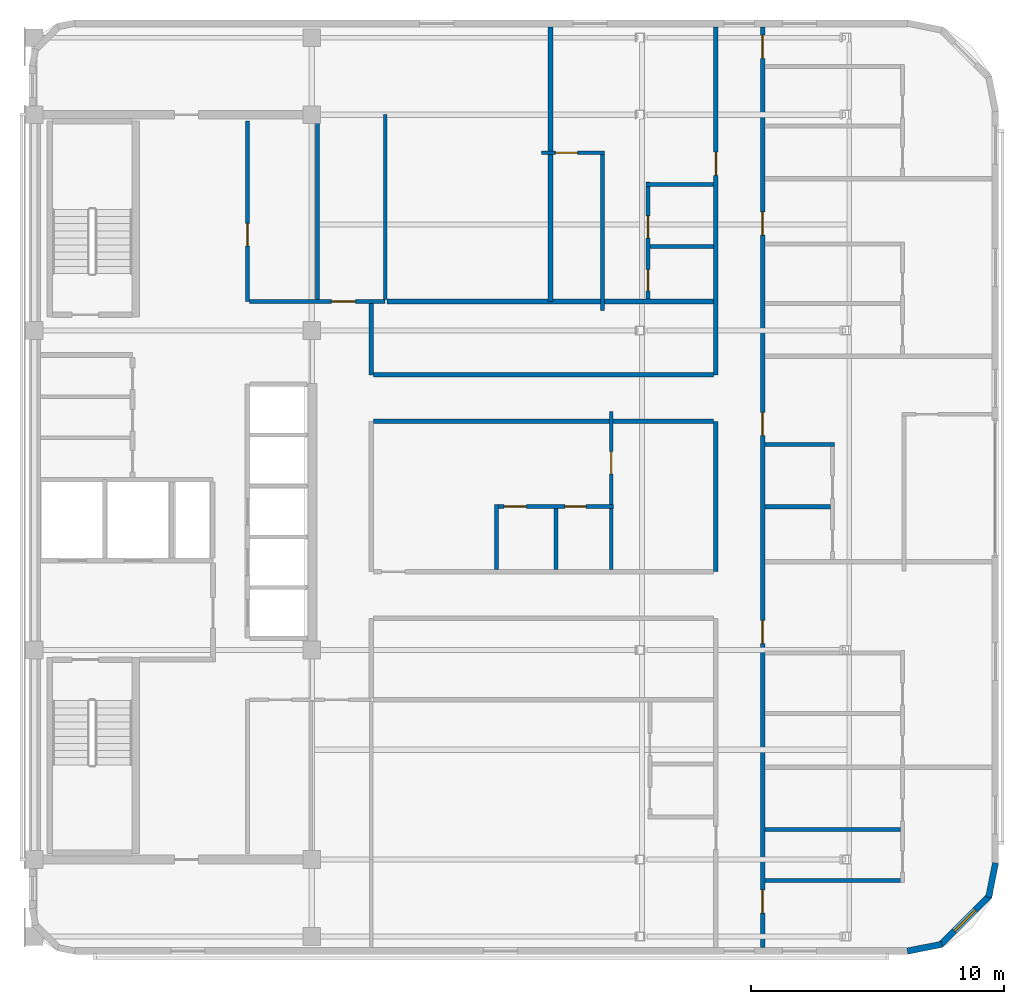
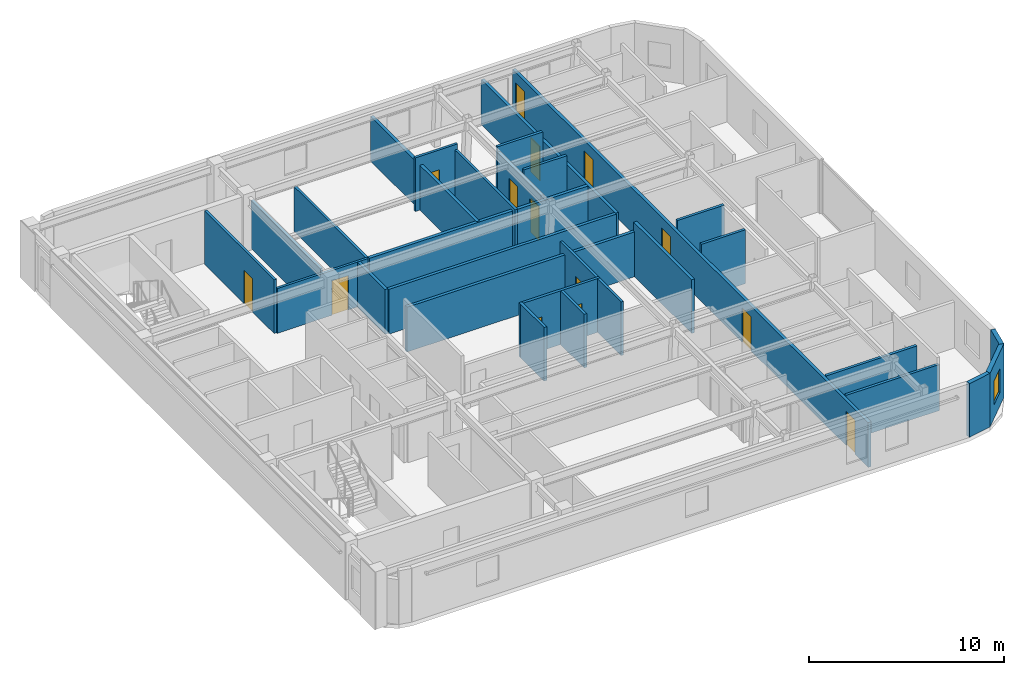
# One storey, part 5 of 10: 28 walls, 14 doors, 1 window, 15 openings.
"""IFC4 building model written with IfcOpenShell, lengths in metres."""

from ifc_helpers import new_model, si_unit, direction, frame, frame_2d, origin, place, context, subcontext, project, spatial, rectangle, extrude, material, layer, layer_set, type_object, element, fill, save


model = new_model("IFC4")

# Units and contexts
model_context = context("Model", 3, precision=1e-05, world=origin(), true_north=direction((0.0, 1.0)))
body_context = subcontext(model_context, "Body", "Model", "MODEL_VIEW")
ifc_project = project(units=[si_unit("LENGTHUNIT", "METRE"), si_unit("AREAUNIT", "SQUARE_METRE"), si_unit("VOLUMEUNIT", "CUBIC_METRE"), si_unit("PLANEANGLEUNIT", "RADIAN"), si_unit("MASSUNIT", "GRAM", prefix="KILO")], contexts=[model_context])

# Site, building, storey
site_placement = place(None, origin())
site = spatial("IfcSite", under=ifc_project, at=site_placement, CompositionType="ELEMENT")
building_placement = place(site_placement, origin())
building = spatial("IfcBuilding", under=site, at=building_placement, Name="Ochreholt Gables", CompositionType="ELEMENT")
storey_placement = place(building_placement, frame((0.0, 0.0, 235.199951171875)))
storey = spatial("IfcBuildingStorey", under=building, at=storey_placement, Name="L61", CompositionType="ELEMENT", Elevation=235.199951171875)

# Wall
ifc_material_1 = material(Name="Precast concrete 40 MPa", Category="concrete")
ifc_layer_1 = layer(ifc_material_1, 0.25, Name="Precast concrete 40 MPa")
ifc_layer_set_1 = layer_set([ifc_layer_1], Name="Precast concrete 40 MPa")
wall_type_1 = type_object("IfcWallType", Name="WALL-EXT-CNR", PredefinedType="SOLIDWALL", material=ifc_layer_set_1)
wall_1_placement = place(storey_placement, frame((58.783447265625, 5.624267578125, 0.0), z_axis=(0.0, 0.0, 1.0), x_axis=(0.980809899341, 0.19496651342, 0.0)))
element("IfcWall", 1, at=wall_1_placement, inside=storey, type_object=wall_type_1, Name="L61 Rounded Corner Wall SE-1", PredefinedType="SOLIDWALL", context=body_context, shape_type="SweptSolid", body=[
    extrude(rectangle(XDim=1.388671875, YDim=0.25, at=frame_2d((0.6943359375, 0.0))), origin(), (0.0, 0.0, 1.0), 3.360107421875),
])

# Wall, opening, window
wall_2_placement = place(storey_placement, frame((60.094970703125, 5.867919921875, 0.0), z_axis=(0.0, 0.0, 1.0), x_axis=(0.707106781187, 0.707106781187, 0.0)))
wall_2 = element("IfcWall", 2, at=wall_2_placement, inside=storey, type_object=wall_type_1, Name="L61 Rounded Corner Wall SE-2", PredefinedType="SOLIDWALL", context=body_context, shape_type="SweptSolid", body=[
    extrude(rectangle(XDim=2.7392578125, YDim=0.25, at=frame_2d((1.36962890625, 0.0))), origin(), (0.0, 0.0, 1.0), 3.360107421875),
])
opening_1_placement = place(wall_2_placement, frame((0.769775390625, 0.0, 0.85009765625)))
opening_1 = element("IfcOpeningElement", 3, at=opening_1_placement, cuts=wall_2, Name="Opening WN-3", PredefinedType="OPENING", context=body_context, shape_type="SweptSolid", body=[
    extrude(rectangle(XDim=1.199951171875, YDim=1.5, at=frame_2d((0.60009765625, 0.75))), frame((0.0, 0.135009765625, 0.0), z_axis=(0.0, -1.0, 0.0), x_axis=(1.0, 0.0, 0.0)), (0.0, 0.0, 1.0), 0.27001953125),
])
ifc_material_2 = material(Name="Triple-Glazed Thermally Broken Aluminium Window", Category="aluminium")
window_type = type_object("IfcWindowType", Name="WIN-RES-1200", PartitioningType="SINGLE_PANEL", PredefinedType="WINDOW", material=ifc_material_2)
window_placement = place(opening_1_placement, origin())
window = element("IfcWindow", 4, at=window_placement, inside=storey, type_object=window_type, Name="L61 Corner Bedroom Window SE", OverallHeight=1.5, OverallWidth=1.199951171875, PartitioningType="SINGLE_PANEL", PredefinedType="WINDOW", context=body_context, shape_type="SweptSolid", body=[
    extrude(rectangle(XDim=1.199951171875, YDim=1.5, at=frame_2d((0.60009765625, 0.75))), frame((0.0, 0.030029296875, 0.0), z_axis=(0.0, -1.0, 0.0), x_axis=(1.0, 0.0, 0.0)), (0.0, 0.0, 1.0), 0.06005859375),
])
fill(opening_1, window)

# Walls
wall_3_placement = place(storey_placement, frame((62.0048828125, 7.75439453125, 0.0), z_axis=(0.0, 0.0, 1.0), x_axis=(0.195135625965, 0.9807762678, 0.0)))
element("IfcWall", 5, at=wall_3_placement, inside=storey, type_object=wall_type_1, Name="L61 Rounded Corner Wall SE-3", PredefinedType="SOLIDWALL", context=body_context, shape_type="SweptSolid", body=[
    extrude(rectangle(XDim=1.388671875, YDim=0.25, at=frame_2d((0.6943359375, 0.0))), origin(), (0.0, 0.0, 1.0), 3.360107421875),
])
ifc_material_3 = material(Name="Fire-Rated Gypsum Acoustic Partition", Category="gypsum")
ifc_layer_2 = layer(ifc_material_3, 0.179931640625, Name="Fire-Rated Gypsum Acoustic Partition")
ifc_layer_set_2 = layer_set([ifc_layer_2], Name="Fire-Rated Gypsum Acoustic Partition")
wall_type_2 = type_object("IfcWallType", Name="WALL-INT-CR180", PredefinedType="STANDARD", material=ifc_layer_set_2)
wall_4_placement = place(storey_placement, frame((37.550048828125, 28.449951171875, 0.0), z_axis=(0.0, 0.0, 1.0), x_axis=(0.0, 1.0, 0.0)))
element("IfcWall", 6, at=wall_4_placement, inside=storey, type_object=wall_type_2, Name="L61 Interior Wall WI-C3CE4-L61", PredefinedType="STANDARD", context=body_context, shape_type="SweptSolid", body=[
    extrude(rectangle(XDim=2.82763671875, YDim=0.179931640625, at=frame_2d((1.413818359375, 0.0))), origin(), (0.0, 0.0, 1.0), 2.802978515625),
])
wall_5_placement = place(storey_placement, frame((51.199951171875, 20.64990234375, 0.0), z_axis=(0.0, 0.0, 1.0), x_axis=(0.0, 1.0, 0.0)))
element("IfcWall", 7, at=wall_5_placement, inside=storey, type_object=wall_type_2, Name="L61 Interior Wall WI-C3GW2-L61", PredefinedType="STANDARD", context=body_context, shape_type="SweptSolid", body=[
    extrude(rectangle(XDim=5.9501953125, YDim=0.179931640625, at=frame_2d((2.97509765625, 0.0))), origin(), (0.0, 0.0, 1.0), 3.360107421875),
])

# Wall, opening, door
wall_6_placement = place(storey_placement, frame((51.199951171875, 28.449951171875, 0.0), z_axis=(0.0, 0.0, 1.0), x_axis=(0.0, 1.0, 0.0)))
wall_6 = element("IfcWall", 8, at=wall_6_placement, inside=storey, type_object=wall_type_2, Name="L61 Interior Wall WI-C3GW4-L61", PredefinedType="STANDARD", context=body_context, shape_type="SweptSolid", body=[
    extrude(rectangle(XDim=13.780029296875, YDim=0.179931640625, at=frame_2d((6.89013671875, 0.0))), origin(), (0.0, 0.0, 1.0), 2.802978515625),
])
opening_2_placement = place(wall_6_placement, frame((7.89990234375, 0.0, 0.0)))
opening_2 = element("IfcOpeningElement", 9, at=opening_2_placement, cuts=wall_6, Name="Opening D-UN1", PredefinedType="OPENING", context=body_context, shape_type="SweptSolid", body=[
    extrude(rectangle(XDim=0.919921875, YDim=2.14990234375, at=frame_2d((0.4599609375, 1.074951171875))), frame((0.0, 0.099853515625, 0.0), z_axis=(0.0, -1.0, 0.0), x_axis=(1.0, 0.0, 0.0)), (0.0, 0.0, 1.0), 0.199951171875),
])
ifc_material_4 = material(Name="Engineered Oak Timber", Category="wood")
door_type_1 = type_object("IfcDoorType", Name="DR-INT-UNT920", OperationType="NOTDEFINED", PredefinedType="DOOR", material=ifc_material_4)
door_1_placement = place(opening_2_placement, origin())
door_1 = element("IfcDoor", 10, at=door_1_placement, inside=storey, type_object=door_type_1, Name="L61 Door D-U-L61NM2-ENT", OperationType="SINGLE_SWING_RIGHT", OverallHeight=2.14990234375, OverallWidth=0.919921875, PredefinedType="DOOR", context=body_context, shape_type="SweptSolid", body=[
    extrude(rectangle(XDim=0.919921875, YDim=2.14990234375, at=frame_2d((0.4599609375, 1.074951171875))), frame((0.0, 0.02490234375, 0.0), z_axis=(0.0, -1.0, 0.0), x_axis=(1.0, 0.0, 0.0)), (0.0, 0.0, 1.0), 0.050048828125),
])
fill(opening_2, door_1)

# Walls
for number, where, z_axis, x_axis, name in (
    (11, (37.639892578125, 26.60009765625, 0.0), (0.0, 0.0, 1.0), (1.0, 0.0, 0.0), "L61 Interior Wall WI-C3BRS2-L61"),
    (12, (37.639892578125, 28.449951171875, 0.0), (0.0, 0.0, 1.0), (1.0, 0.0, 0.0), "L61 Interior Wall WI-C3BRN2-L61"),
):
    element("IfcWall", number, at=place(storey_placement, frame(where, z_axis=z_axis, x_axis=x_axis)), inside=storey, type_object=wall_type_2, Name=name, PredefinedType="STANDARD", context=body_context, shape_type="SweptSolid", body=[
        extrude(rectangle(XDim=13.47021484375, YDim=0.179931640625, at=frame_2d((6.735107421875, 0.0))), origin(), (0.0, 0.0, 1.0), 2.802978515625),
    ])

# Wall, openings, doors
wall_7_placement = place(storey_placement, frame((53.050048828125, 5.77001953125, 0.0), z_axis=(0.0, 0.0, 1.0), x_axis=(0.0, 1.0, 0.0)))
wall_7 = element("IfcWall", 13, at=wall_7_placement, inside=storey, type_object=wall_type_2, Name="L61 Interior Wall WI-C3GE-L61", PredefinedType="STANDARD", context=body_context, shape_type="SweptSolid", body=[
    extrude(rectangle(XDim=36.4599609375, YDim=0.179931640625, at=frame_2d((18.22998046875, 0.0))), origin(), (0.0, 0.0, 1.0), 2.802978515625),
])
opening_3_placement = place(wall_7_placement, frame((1.356689453125, 0.0, 0.0)))
opening_3 = element("IfcOpeningElement", 14, at=opening_3_placement, cuts=wall_7, Name="Opening D-UN1", PredefinedType="OPENING", context=body_context, shape_type="SweptSolid", body=[
    extrude(rectangle(XDim=0.919921875, YDim=2.14990234375, at=frame_2d((0.4599609375, 1.074951171875))), frame((0.0, 0.099853515625, 0.0), z_axis=(0.0, -1.0, 0.0), x_axis=(1.0, 0.0, 0.0)), (0.0, 0.0, 1.0), 0.199951171875),
])
opening_4_placement = place(wall_7_placement, frame((12.030029296875, 0.0, 0.0)))
opening_4 = element("IfcOpeningElement", 15, at=opening_4_placement, cuts=wall_7, Name="Opening D-UN1", PredefinedType="OPENING", context=body_context, shape_type="SweptSolid", body=[
    extrude(rectangle(XDim=0.919921875, YDim=2.14990234375, at=frame_2d((0.4599609375, 1.074951171875))), frame((0.0, 0.099853515625, 0.0), z_axis=(0.0, -1.0, 0.0), x_axis=(1.0, 0.0, 0.0)), (0.0, 0.0, 1.0), 0.199951171875),
])
opening_5_placement = place(wall_7_placement, frame((20.27001953125, 0.0, 0.0)))
opening_5 = element("IfcOpeningElement", 16, at=opening_5_placement, cuts=wall_7, Name="Opening D-UN1", PredefinedType="OPENING", context=body_context, shape_type="SweptSolid", body=[
    extrude(rectangle(XDim=0.919921875, YDim=2.14990234375, at=frame_2d((0.4599609375, 1.074951171875))), frame((0.0, 0.099853515625, 0.0), z_axis=(0.0, -1.0, 0.0), x_axis=(1.0, 0.0, 0.0)), (0.0, 0.0, 1.0), 0.199951171875),
])
opening_6_placement = place(wall_7_placement, frame((28.2099609375, 0.0, 0.0)))
opening_6 = element("IfcOpeningElement", 17, at=opening_6_placement, cuts=wall_7, Name="Opening D-UN1", PredefinedType="OPENING", context=body_context, shape_type="SweptSolid", body=[
    extrude(rectangle(XDim=0.919921875, YDim=2.14990234375, at=frame_2d((0.4599609375, 1.074951171875))), frame((0.0, 0.099853515625, 0.0), z_axis=(0.0, -1.0, 0.0), x_axis=(1.0, 0.0, 0.0)), (0.0, 0.0, 1.0), 0.199951171875),
])
opening_7_placement = place(wall_7_placement, frame((35.2099609375, 0.0, 0.0)))
opening_7 = element("IfcOpeningElement", 18, at=opening_7_placement, cuts=wall_7, Name="Opening D-UN1", PredefinedType="OPENING", context=body_context, shape_type="SweptSolid", body=[
    extrude(rectangle(XDim=0.919921875, YDim=2.14990234375, at=frame_2d((0.4599609375, 1.074951171875))), frame((0.0, 0.099853515625, 0.0), z_axis=(0.0, -1.0, 0.0), x_axis=(1.0, 0.0, 0.0)), (0.0, 0.0, 1.0), 0.199951171875),
])
door_2_placement = place(opening_3_placement, origin())
door_2 = element("IfcDoor", 19, at=door_2_placement, inside=storey, type_object=door_type_1, Name="L61 Door D-U-L61E1-ENT", OperationType="SINGLE_SWING_RIGHT", OverallHeight=2.14990234375, OverallWidth=0.919921875, PredefinedType="DOOR", context=body_context, shape_type="SweptSolid", body=[
    extrude(rectangle(XDim=0.919921875, YDim=2.14990234375, at=frame_2d((0.4599609375, 1.074951171875))), frame((0.0, 0.02490234375, 0.0), z_axis=(0.0, -1.0, 0.0), x_axis=(1.0, 0.0, 0.0)), (0.0, 0.0, 1.0), 0.050048828125),
])
fill(opening_3, door_2)
door_3_placement = place(opening_4_placement, origin())
door_3 = element("IfcDoor", 20, at=door_3_placement, inside=storey, type_object=door_type_1, Name="L61 Door D-U-L61E2-ENT", OperationType="SINGLE_SWING_LEFT", OverallHeight=2.14990234375, OverallWidth=0.919921875, PredefinedType="DOOR", context=body_context, shape_type="SweptSolid", body=[
    extrude(rectangle(XDim=0.919921875, YDim=2.14990234375, at=frame_2d((0.4599609375, 1.074951171875))), frame((0.0, 0.02490234375, 0.0), z_axis=(0.0, -1.0, 0.0), x_axis=(1.0, 0.0, 0.0)), (0.0, 0.0, 1.0), 0.050048828125),
])
fill(opening_4, door_3)
door_4_placement = place(opening_5_placement, origin())
door_4 = element("IfcDoor", 21, at=door_4_placement, inside=storey, type_object=door_type_1, Name="L61 Door D-U-L61E3-ENT", OperationType="SINGLE_SWING_RIGHT", OverallHeight=2.14990234375, OverallWidth=0.919921875, PredefinedType="DOOR", context=body_context, shape_type="SweptSolid", body=[
    extrude(rectangle(XDim=0.919921875, YDim=2.14990234375, at=frame_2d((0.4599609375, 1.074951171875))), frame((0.0, 0.02490234375, 0.0), z_axis=(0.0, -1.0, 0.0), x_axis=(1.0, 0.0, 0.0)), (0.0, 0.0, 1.0), 0.050048828125),
])
fill(opening_5, door_4)
door_5_placement = place(opening_6_placement, origin())
door_5 = element("IfcDoor", 22, at=door_5_placement, inside=storey, type_object=door_type_1, Name="L61 Door D-U-L61E4-ENT", OperationType="SINGLE_SWING_LEFT", OverallHeight=2.14990234375, OverallWidth=0.919921875, PredefinedType="DOOR", context=body_context, shape_type="SweptSolid", body=[
    extrude(rectangle(XDim=0.919921875, YDim=2.14990234375, at=frame_2d((0.4599609375, 1.074951171875))), frame((0.0, 0.02490234375, 0.0), z_axis=(0.0, -1.0, 0.0), x_axis=(1.0, 0.0, 0.0)), (0.0, 0.0, 1.0), 0.050048828125),
])
fill(opening_6, door_5)
door_6_placement = place(opening_7_placement, origin())
door_6 = element("IfcDoor", 23, at=door_6_placement, inside=storey, type_object=door_type_1, Name="L61 Door D-U-L61E5-ENT", OperationType="SINGLE_SWING_RIGHT", OverallHeight=2.14990234375, OverallWidth=0.919921875, PredefinedType="DOOR", context=body_context, shape_type="SweptSolid", body=[
    extrude(rectangle(XDim=0.919921875, YDim=2.14990234375, at=frame_2d((0.4599609375, 1.074951171875))), frame((0.0, 0.02490234375, 0.0), z_axis=(0.0, -1.0, 0.0), x_axis=(1.0, 0.0, 0.0)), (0.0, 0.0, 1.0), 0.050048828125),
])
fill(opening_7, door_6)

# Walls
ifc_material_5 = material(Name="Double-Stud Acoustic Demising Wall", Category="gypsum")
ifc_layer_3 = layer(ifc_material_5, 0.18505859375, Name="Double-Stud Acoustic Demising Wall")
ifc_layer_set_3 = layer_set([ifc_layer_3], Name="Double-Stud Acoustic Demising Wall")
wall_type_3 = type_object("IfcWallType", Name="WALL-INT-DM185", PredefinedType="PARTITIONING", material=ifc_layer_set_3)
wall_8_placement = place(storey_placement, frame((44.64990234375, 31.35009765625, 0.0), z_axis=(0.0, 0.0, 1.0), x_axis=(0.0, 1.0, 0.0)))
element("IfcWall", 24, at=wall_8_placement, inside=storey, type_object=wall_type_3, Name="L61 Interior Wall WI-C3NMX-L61", PredefinedType="PARTITIONING", context=body_context, shape_type="SweptSolid", body=[
    extrude(rectangle(XDim=10.8798828125, YDim=0.18505859375, at=frame_2d((5.43994140625, 0.0))), origin(), (0.0, 0.0, 1.0), 2.802978515625),
])
wall_9_placement = place(storey_placement, frame((38.172607421875, 31.35009765625, 0.0), z_axis=(0.0, 0.0, 1.0), x_axis=(1.0, 0.0, 0.0)))
element("IfcWall", 25, at=wall_9_placement, inside=storey, type_object=wall_type_3, Name="L61 Interior Wall WI-C3NMY-L61", PredefinedType="PARTITIONING", context=body_context, shape_type="SweptSolid", body=[
    extrude(rectangle(XDim=12.9375, YDim=0.18505859375, at=frame_2d((6.46875, 0.0))), origin(), (0.0, 0.0, 1.0), 2.802978515625),
])
ifc_material_6 = material(Name="Moisture-Resistant Plumbing Chase Wall", Category="gypsum")
ifc_layer_4 = layer(ifc_material_6, 0.159912109375, Name="Moisture-Resistant Plumbing Chase Wall")
ifc_layer_set_4 = layer_set([ifc_layer_4], Name="Moisture-Resistant Plumbing Chase Wall")
wall_type_4 = type_object("IfcWallType", Name="WALL-INT-PL160", PredefinedType="PLUMBINGWALL", material=ifc_layer_set_4)
wall_10_placement = place(storey_placement, frame((53.139892578125, 8.426513671875, 0.0), z_axis=(0.0, 0.0, 1.0), x_axis=(1.0, 0.0, 0.0)))
element("IfcWall", 26, at=wall_10_placement, inside=storey, type_object=wall_type_4, Name="L61 Interior Wall WU-L61E1-WYS", PredefinedType="PLUMBINGWALL", context=body_context, shape_type="SweptSolid", body=[
    extrude(rectangle(XDim=5.530029296875, YDim=0.159912109375, at=frame_2d((2.76513671875, 0.0))), origin(), (0.0, 0.0, 1.0), 2.879150390625),
])
wall_11_placement = place(storey_placement, frame((53.139892578125, 10.443115234375, 0.0), z_axis=(0.0, 0.0, 1.0), x_axis=(1.0, 0.0, 0.0)))
element("IfcWall", 27, at=wall_11_placement, inside=storey, type_object=wall_type_4, Name="L61 Interior Wall WU-L61E1-WM", PredefinedType="PLUMBINGWALL", context=body_context, shape_type="SweptSolid", body=[
    extrude(rectangle(XDim=5.3701171875, YDim=0.159912109375, at=frame_2d((2.68505859375, 0.0))), origin(), (0.0, 0.0, 1.0), 2.879150390625),
])
wall_12_placement = place(storey_placement, frame((53.139892578125, 25.679931640625, 0.0), z_axis=(0.0, 0.0, 1.0), x_axis=(1.0, 0.0, 0.0)))
element("IfcWall", 28, at=wall_12_placement, inside=storey, type_object=wall_type_4, Name="L61 Interior Wall WU-L61E3-WYN", PredefinedType="PLUMBINGWALL", context=body_context, shape_type="SweptSolid", body=[
    extrude(rectangle(XDim=2.758056640625, YDim=0.159912109375, at=frame_2d((1.37890625, 0.0))), origin(), (0.0, 0.0, 1.0), 3.360107421875),
])
wall_13_placement = place(storey_placement, frame((53.139892578125, 23.222900390625, 0.0), z_axis=(0.0, 0.0, 1.0), x_axis=(1.0, 0.0, 0.0)))
element("IfcWall", 29, at=wall_13_placement, inside=storey, type_object=wall_type_4, Name="L61 Interior Wall WU-L61E3-WM", PredefinedType="PLUMBINGWALL", context=body_context, shape_type="SweptSolid", body=[
    extrude(rectangle(XDim=2.59814453125, YDim=0.159912109375, at=frame_2d((1.299072265625, 0.0))), origin(), (0.0, 0.0, 1.0), 3.360107421875),
])

# Wall, openings, doors
wall_14_placement = place(storey_placement, frame((42.429931640625, 23.237548828125, 0.0), z_axis=(0.0, 0.0, 1.0), x_axis=(1.0, 0.0, 0.0)))
wall_14 = element("IfcWall", 30, at=wall_14_placement, inside=storey, type_object=wall_type_4, Name="L61 Interior Wall WU-L61MC1-WY", PredefinedType="PLUMBINGWALL", context=body_context, shape_type="SweptSolid", body=[
    extrude(rectangle(XDim=4.7099609375, YDim=0.159912109375, at=frame_2d((2.35498046875, 0.0))), origin(), (0.0, 0.0, 1.0), 3.360107421875),
])
opening_8_placement = place(wall_14_placement, frame((0.3798828125, 0.0, 0.0)))
opening_8 = element("IfcOpeningElement", 31, at=opening_8_placement, cuts=wall_14, Name="Opening D-GN2", PredefinedType="OPENING", context=body_context, shape_type="SweptSolid", body=[
    extrude(rectangle(XDim=0.8798828125, YDim=2.1201171875, at=frame_2d((0.43994140625, 1.06005859375))), frame((0.0, 0.08984375, 0.0), z_axis=(0.0, -1.0, 0.0), x_axis=(1.0, 0.0, 0.0)), (0.0, 0.0, 1.0), 0.179931640625),
])
opening_9_placement = place(wall_14_placement, frame((2.785888671875, 0.0, 0.0)))
opening_9 = element("IfcOpeningElement", 32, at=opening_9_placement, cuts=wall_14, Name="Opening D-BT2", PredefinedType="OPENING", context=body_context, shape_type="SweptSolid", body=[
    extrude(rectangle(XDim=0.840087890625, YDim=2.1201171875, at=frame_2d((0.419921875, 1.06005859375))), frame((0.0, 0.08984375, 0.0), z_axis=(0.0, -1.0, 0.0), x_axis=(1.0, 0.0, 0.0)), (0.0, 0.0, 1.0), 0.179931640625),
])
door_type_2 = type_object("IfcDoorType", Name="DR-INT-BTH840", OperationType="NOTDEFINED", PredefinedType="DOOR", material=ifc_material_4)
door_7_placement = place(opening_9_placement, origin())
door_7 = element("IfcDoor", 33, at=door_7_placement, inside=storey, type_object=door_type_2, Name="L61 Door D-U-L61MC1-BTH", OperationType="SINGLE_SWING_LEFT", OverallHeight=2.1201171875, OverallWidth=0.840087890625, PredefinedType="DOOR", context=body_context, shape_type="SweptSolid", body=[
    extrude(rectangle(XDim=0.840087890625, YDim=2.1201171875, at=frame_2d((0.419921875, 1.06005859375))), frame((0.0, 0.02490234375, 0.0), z_axis=(0.0, -1.0, 0.0), x_axis=(1.0, 0.0, 0.0)), (0.0, 0.0, 1.0), 0.050048828125),
])
fill(opening_9, door_7)
door_type_3 = type_object("IfcDoorType", Name="DR-INT-GEN880", OperationType="NOTDEFINED", PredefinedType="DOOR", material=ifc_material_4)
door_8_placement = place(opening_8_placement, origin())
door_8 = element("IfcDoor", 34, at=door_8_placement, inside=storey, type_object=door_type_3, Name="L61 Door D-U-L61MC1-KIT", OperationType="SINGLE_SWING_RIGHT", OverallHeight=2.1201171875, OverallWidth=0.8798828125, PredefinedType="DOOR", context=body_context, shape_type="SweptSolid", body=[
    extrude(rectangle(XDim=0.8798828125, YDim=2.1201171875, at=frame_2d((0.43994140625, 1.06005859375))), frame((0.0, 0.02490234375, 0.0), z_axis=(0.0, -1.0, 0.0), x_axis=(1.0, 0.0, 0.0)), (0.0, 0.0, 1.0), 0.050048828125),
])
fill(opening_8, door_8)

# Walls
wall_15_placement = place(storey_placement, frame((42.510009765625, 20.739990234375, 0.0), z_axis=(0.0, 0.0, 1.0), x_axis=(0.0, 1.0, 0.0)))
element("IfcWall", 35, at=wall_15_placement, inside=storey, type_object=wall_type_4, Name="L61 Interior Wall WU-L61MC1-FY", PredefinedType="PLUMBINGWALL", context=body_context, shape_type="SweptSolid", body=[
    extrude(rectangle(XDim=2.577392578125, YDim=0.159912109375, at=frame_2d((1.28857421875, 0.0))), origin(), (0.0, 0.0, 1.0), 3.360107421875),
])
wall_16_placement = place(storey_placement, frame((44.8759765625, 20.739990234375, 0.0), z_axis=(0.0, 0.0, 1.0), x_axis=(0.0, 1.0, 0.0)))
element("IfcWall", 36, at=wall_16_placement, inside=storey, type_object=wall_type_4, Name="L61 Interior Wall WU-L61MC1-WK", PredefinedType="PLUMBINGWALL", context=body_context, shape_type="SweptSolid", body=[
    extrude(rectangle(XDim=2.41748046875, YDim=0.159912109375, at=frame_2d((1.208740234375, 0.0))), origin(), (0.0, 0.0, 1.0), 3.360107421875),
])
wall_17_placement = place(storey_placement, frame((48.427978515625, 35.989990234375, 0.0), z_axis=(0.0, 0.0, 1.0), x_axis=(1.0, 0.0, 0.0)))
element("IfcWall", 37, at=wall_17_placement, inside=storey, type_object=wall_type_4, Name="L61 Interior Wall WU-L61NM2-WYN", PredefinedType="PLUMBINGWALL", context=body_context, shape_type="SweptSolid", body=[
    extrude(rectangle(XDim=2.68212890625, YDim=0.159912109375, at=frame_2d((1.341064453125, 0.0))), origin(), (0.0, 0.0, 1.0), 3.360107421875),
])

# Wall, openings, doors
wall_18_placement = place(storey_placement, frame((48.508056640625, 31.4423828125, 0.0), z_axis=(0.0, 0.0, 1.0), x_axis=(0.0, 1.0, 0.0)))
wall_18 = element("IfcWall", 38, at=wall_18_placement, inside=storey, type_object=wall_type_4, Name="L61 Interior Wall WU-L61NM2-WX", PredefinedType="PLUMBINGWALL", context=body_context, shape_type="SweptSolid", body=[
    extrude(rectangle(XDim=4.6376953125, YDim=0.159912109375, at=frame_2d((2.31884765625, 0.0))), origin(), (0.0, 0.0, 1.0), 3.0390625),
])
opening_10_placement = place(wall_18_placement, frame((0.327392578125, 0.0, 0.0)))
opening_10 = element("IfcOpeningElement", 39, at=opening_10_placement, cuts=wall_18, Name="Opening D-BT2", PredefinedType="OPENING", context=body_context, shape_type="SweptSolid", body=[
    extrude(rectangle(XDim=0.840087890625, YDim=2.1201171875, at=frame_2d((0.419921875, 1.06005859375))), frame((0.0, 0.08984375, 0.0), z_axis=(0.0, -1.0, 0.0), x_axis=(1.0, 0.0, 0.0)), (0.0, 0.0, 1.0), 0.179931640625),
])
opening_11_placement = place(wall_18_placement, frame((2.42041015625, 0.0, 0.0)))
opening_11 = element("IfcOpeningElement", 40, at=opening_11_placement, cuts=wall_18, Name="Opening D-GN2", PredefinedType="OPENING", context=body_context, shape_type="SweptSolid", body=[
    extrude(rectangle(XDim=0.8798828125, YDim=2.1201171875, at=frame_2d((0.43994140625, 1.06005859375))), frame((0.0, 0.08984375, 0.0), z_axis=(0.0, -1.0, 0.0), x_axis=(1.0, 0.0, 0.0)), (0.0, 0.0, 1.0), 0.179931640625),
])
door_9_placement = place(opening_10_placement, origin())
door_9 = element("IfcDoor", 41, at=door_9_placement, inside=storey, type_object=door_type_2, Name="L61 Door D-U-L61NM2-BTH", OperationType="SINGLE_SWING_LEFT", OverallHeight=2.1201171875, OverallWidth=0.840087890625, PredefinedType="DOOR", context=body_context, shape_type="SweptSolid", body=[
    extrude(rectangle(XDim=0.840087890625, YDim=2.1201171875, at=frame_2d((0.419921875, 1.06005859375))), frame((0.0, 0.02490234375, 0.0), z_axis=(0.0, -1.0, 0.0), x_axis=(1.0, 0.0, 0.0)), (0.0, 0.0, 1.0), 0.050048828125),
])
fill(opening_10, door_9)
door_10_placement = place(opening_11_placement, origin())
door_10 = element("IfcDoor", 42, at=door_10_placement, inside=storey, type_object=door_type_3, Name="L61 Door D-U-L61NM2-KIT", OperationType="SINGLE_SWING_RIGHT", OverallHeight=2.1201171875, OverallWidth=0.8798828125, PredefinedType="DOOR", context=body_context, shape_type="SweptSolid", body=[
    extrude(rectangle(XDim=0.8798828125, YDim=2.1201171875, at=frame_2d((0.43994140625, 1.06005859375))), frame((0.0, 0.02490234375, 0.0), z_axis=(0.0, -1.0, 0.0), x_axis=(1.0, 0.0, 0.0)), (0.0, 0.0, 1.0), 0.050048828125),
])
fill(opening_11, door_10)

# Wall
wall_19_placement = place(storey_placement, frame((48.587890625, 33.532958984375, 0.0), z_axis=(0.0, 0.0, 1.0), x_axis=(1.0, 0.0, 0.0)))
element("IfcWall", 43, at=wall_19_placement, inside=storey, type_object=wall_type_4, Name="L61 Interior Wall WU-L61NM2-WM", PredefinedType="PLUMBINGWALL", context=body_context, shape_type="SweptSolid", body=[
    extrude(rectangle(XDim=2.522216796875, YDim=0.159912109375, at=frame_2d((1.26123046875, 0.0))), origin(), (0.0, 0.0, 1.0), 3.360107421875),
])

# Wall, opening, door
ifc_material_7 = material(Name="Lightweight Stud Partition", Category="gypsum")
ifc_layer_5 = layer(ifc_material_7, 0.14501953125, Name="Lightweight Stud Partition")
ifc_layer_set_5 = layer_set([ifc_layer_5], Name="Lightweight Stud Partition")
wall_type_5 = type_object("IfcWallType", Name="WALL-INT-PT145", PredefinedType="PARTITIONING", material=ifc_layer_set_5)
wall_20_placement = place(storey_placement, frame((32.64990234375, 31.35009765625, 0.0), z_axis=(0.0, 0.0, 1.0), x_axis=(0.0, 1.0, 0.0)))
wall_20 = element("IfcWall", 44, at=wall_20_placement, inside=storey, type_object=wall_type_5, Name="L61 Interior Wall WI-RCM-W-L61", PredefinedType="PARTITIONING", context=body_context, shape_type="SweptSolid", body=[
    extrude(rectangle(XDim=7.14990234375, YDim=0.14501953125, at=frame_2d((3.574951171875, 0.0))), origin(), (0.0, 0.0, 1.0), 3.360107421875),
])
opening_12_placement = place(wall_20_placement, frame((2.199951171875, 0.0, 0.0)))
opening_12 = element("IfcOpeningElement", 45, at=opening_12_placement, cuts=wall_20, Name="Opening D-SV1", PredefinedType="OPENING", context=body_context, shape_type="SweptSolid", body=[
    extrude(rectangle(XDim=0.89990234375, YDim=2.10009765625, at=frame_2d((0.449951171875, 1.050048828125))), frame((0.0, 0.08251953125, 0.0), z_axis=(0.0, -1.0, 0.0), x_axis=(1.0, 0.0, 0.0)), (0.0, 0.0, 1.0), 0.1650390625),
])
ifc_material_8 = material(Name="Hollow Metal Steel", Category="steel")
door_type_4 = type_object("IfcDoorType", Name="DR-INT-SRV900", OperationType="NOTDEFINED", PredefinedType="DOOR", material=ifc_material_8)
door_11_placement = place(opening_12_placement, origin())
door_11 = element("IfcDoor", 46, at=door_11_placement, inside=storey, type_object=door_type_4, Name="L61 Door D-RCM1-L61", OperationType="SINGLE_SWING_LEFT", OverallHeight=2.10009765625, OverallWidth=0.89990234375, PredefinedType="DOOR", context=body_context, shape_type="SweptSolid", body=[
    extrude(rectangle(XDim=0.89990234375, YDim=2.10009765625, at=frame_2d((0.449951171875, 1.050048828125))), frame((0.0, 0.02490234375, 0.0), z_axis=(0.0, -1.0, 0.0), x_axis=(1.0, 0.0, 0.0)), (0.0, 0.0, 1.0), 0.050048828125),
])
fill(opening_12, door_11)

wall_21_placement = place(storey_placement, frame((32.722412109375, 31.35009765625, 0.0), z_axis=(0.0, 0.0, 1.0), x_axis=(1.0, 0.0, 0.0)))
wall_21 = element("IfcWall", 47, at=wall_21_placement, inside=storey, type_object=wall_type_5, Name="L61 Interior Wall WI-RCM-S-L61", PredefinedType="PARTITIONING", context=body_context, shape_type="SweptSolid", body=[
    extrude(rectangle(XDim=5.377685546875, YDim=0.14501953125, at=frame_2d((2.68896484375, 0.0))), origin(), (0.0, 0.0, 1.0), 2.802978515625),
])
opening_13_placement = place(wall_21_placement, frame((3.25244140625, 0.0, 0.0)))
opening_13 = element("IfcOpeningElement", 48, at=opening_13_placement, cuts=wall_21, Name="Opening D-GN1", PredefinedType="OPENING", context=body_context, shape_type="SweptSolid", body=[
    extrude(rectangle(XDim=0.949951171875, YDim=2.14990234375, at=frame_2d((0.47509765625, 1.074951171875))), frame((0.0, 0.08251953125, 0.0), z_axis=(0.0, -1.0, 0.0), x_axis=(1.0, 0.0, 0.0)), (0.0, 0.0, 1.0), 0.1650390625),
])
door_type_5 = type_object("IfcDoorType", Name="DR-INT-GEN950", OperationType="NOTDEFINED", PredefinedType="DOOR", material=ifc_material_4)
door_12_placement = place(opening_13_placement, origin())
door_12 = element("IfcDoor", 49, at=door_12_placement, inside=storey, type_object=door_type_5, Name="L61 Door D-RCM2-L61", OperationType="SINGLE_SWING_RIGHT", OverallHeight=2.14990234375, OverallWidth=0.949951171875, PredefinedType="DOOR", context=body_context, shape_type="SweptSolid", body=[
    extrude(rectangle(XDim=0.949951171875, YDim=2.14990234375, at=frame_2d((0.47509765625, 1.074951171875))), frame((0.0, 0.02490234375, 0.0), z_axis=(0.0, -1.0, 0.0), x_axis=(1.0, 0.0, 0.0)), (0.0, 0.0, 1.0), 0.050048828125),
])
fill(opening_13, door_12)

# Walls
wall_22_placement = place(storey_placement, frame((38.10009765625, 31.422607421875, 0.0), z_axis=(0.0, 0.0, 1.0), x_axis=(0.0, 1.0, 0.0)))
element("IfcWall", 50, at=wall_22_placement, inside=storey, type_object=wall_type_5, Name="L61 Interior Wall WI-RCM-E-L61", PredefinedType="PARTITIONING", context=body_context, shape_type="SweptSolid", body=[
    extrude(rectangle(XDim=7.327392578125, YDim=0.14501953125, at=frame_2d((3.66357421875, 0.0))), origin(), (0.0, 0.0, 1.0), 2.802978515625),
])
wall_23_placement = place(storey_placement, frame((35.425048828125, 31.422607421875, 0.0), z_axis=(0.0, 0.0, 1.0), x_axis=(0.0, 1.0, 0.0)))
element("IfcWall", 51, at=wall_23_placement, inside=storey, type_object=wall_type_5, Name="L61 Interior Wall WI-RCM-DV-L61", PredefinedType="PARTITIONING", context=body_context, shape_type="SweptSolid", body=[
    extrude(rectangle(XDim=7.077392578125, YDim=0.14501953125, at=frame_2d((3.53857421875, 0.0))), origin(), (0.0, 0.0, 1.0), 3.0390625),
])

# Wall, opening, door
wall_24_placement = place(storey_placement, frame((47.06005859375, 20.739990234375, 0.0), z_axis=(0.0, 0.0, 1.0), x_axis=(0.0, 1.0, 0.0)))
wall_24 = element("IfcWall", 52, at=wall_24_placement, inside=storey, type_object=wall_type_5, Name="L61 Interior Wall WU-L61MC1-MNX", PredefinedType="PARTITIONING", context=body_context, shape_type="SweptSolid", body=[
    extrude(rectangle(XDim=6.25, YDim=0.14501953125, at=frame_2d((3.125, 0.0))), origin(), (0.0, 0.0, 1.0), 3.360107421875),
])
opening_14_placement = place(wall_24_placement, frame((3.78369140625, 0.0, 0.0)))
opening_14 = element("IfcOpeningElement", 53, at=opening_14_placement, cuts=wall_24, Name="Opening D-BD2", PredefinedType="OPENING", context=body_context, shape_type="SweptSolid", body=[
    extrude(rectangle(XDim=0.8798828125, YDim=2.139892578125, at=frame_2d((0.43994140625, 1.06982421875))), frame((0.0, 0.08251953125, 0.0), z_axis=(0.0, -1.0, 0.0), x_axis=(1.0, 0.0, 0.0)), (0.0, 0.0, 1.0), 0.1650390625),
])
door_type_6 = type_object("IfcDoorType", Name="DR-INT-BED880", OperationType="NOTDEFINED", PredefinedType="DOOR", material=ifc_material_4)
door_13_placement = place(opening_14_placement, origin())
door_13 = element("IfcDoor", 54, at=door_13_placement, inside=storey, type_object=door_type_6, Name="L61 Door D-U-L61MC1-BD1", OperationType="SINGLE_SWING_RIGHT", OverallHeight=2.139892578125, OverallWidth=0.8798828125, PredefinedType="DOOR", context=body_context, shape_type="SweptSolid", body=[
    extrude(rectangle(XDim=0.8798828125, YDim=2.139892578125, at=frame_2d((0.43994140625, 1.06982421875))), frame((0.0, 0.02490234375, 0.0), z_axis=(0.0, -1.0, 0.0), x_axis=(1.0, 0.0, 0.0)), (0.0, 0.0, 1.0), 0.050048828125),
])
fill(opening_14, door_13)

# Wall
wall_25_placement = place(storey_placement, frame((46.7080078125, 30.989990234375, 0.0), z_axis=(0.0, 0.0, 1.0), x_axis=(0.0, 1.0, 0.0)))
element("IfcWall", 55, at=wall_25_placement, inside=storey, type_object=wall_type_5, Name="L61 Interior Wall WU-L61NM2-STW", PredefinedType="PARTITIONING", context=body_context, shape_type="SweptSolid", body=[
    extrude(rectangle(XDim=6.25, YDim=0.14501953125, at=frame_2d((3.125, 0.0))), origin(), (0.0, 0.0, 1.0), 3.0390625),
])

# Wall, opening, door
wall_26_placement = place(storey_placement, frame((44.2900390625, 37.239990234375, 0.0), z_axis=(0.0, 0.0, 1.0), x_axis=(1.0, 0.0, 0.0)))
wall_26 = element("IfcWall", 56, at=wall_26_placement, inside=storey, type_object=wall_type_5, Name="L61 Interior Wall WU-L61NM2-STN", PredefinedType="PARTITIONING", context=body_context, shape_type="SweptSolid", body=[
    extrude(rectangle(XDim=2.498046875, YDim=0.14501953125, at=frame_2d((1.2490234375, 0.0))), origin(), (0.0, 0.0, 1.0), 3.360107421875),
])
opening_15_placement = place(wall_26_placement, frame((0.550048828125, 0.0, 0.0)))
opening_15 = element("IfcOpeningElement", 57, at=opening_15_placement, cuts=wall_26, Name="Opening D-GN2", PredefinedType="OPENING", context=body_context, shape_type="SweptSolid", body=[
    extrude(rectangle(XDim=0.8798828125, YDim=2.1201171875, at=frame_2d((0.43994140625, 1.06005859375))), frame((0.0, 0.08251953125, 0.0), z_axis=(0.0, -1.0, 0.0), x_axis=(1.0, 0.0, 0.0)), (0.0, 0.0, 1.0), 0.1650390625),
])
door_14_placement = place(opening_15_placement, origin())
door_14 = element("IfcDoor", 58, at=door_14_placement, inside=storey, type_object=door_type_3, Name="L61 Door D-U-L61NM2-STD", OperationType="SINGLE_SWING_LEFT", OverallHeight=2.1201171875, OverallWidth=0.8798828125, PredefinedType="DOOR", context=body_context, shape_type="SweptSolid", body=[
    extrude(rectangle(XDim=0.8798828125, YDim=2.1201171875, at=frame_2d((0.43994140625, 1.06005859375))), frame((0.0, 0.02490234375, 0.0), z_axis=(0.0, -1.0, 0.0), x_axis=(1.0, 0.0, 0.0)), (0.0, 0.0, 1.0), 0.050048828125),
])
fill(opening_15, door_14)

save(model, "model.ifc")
